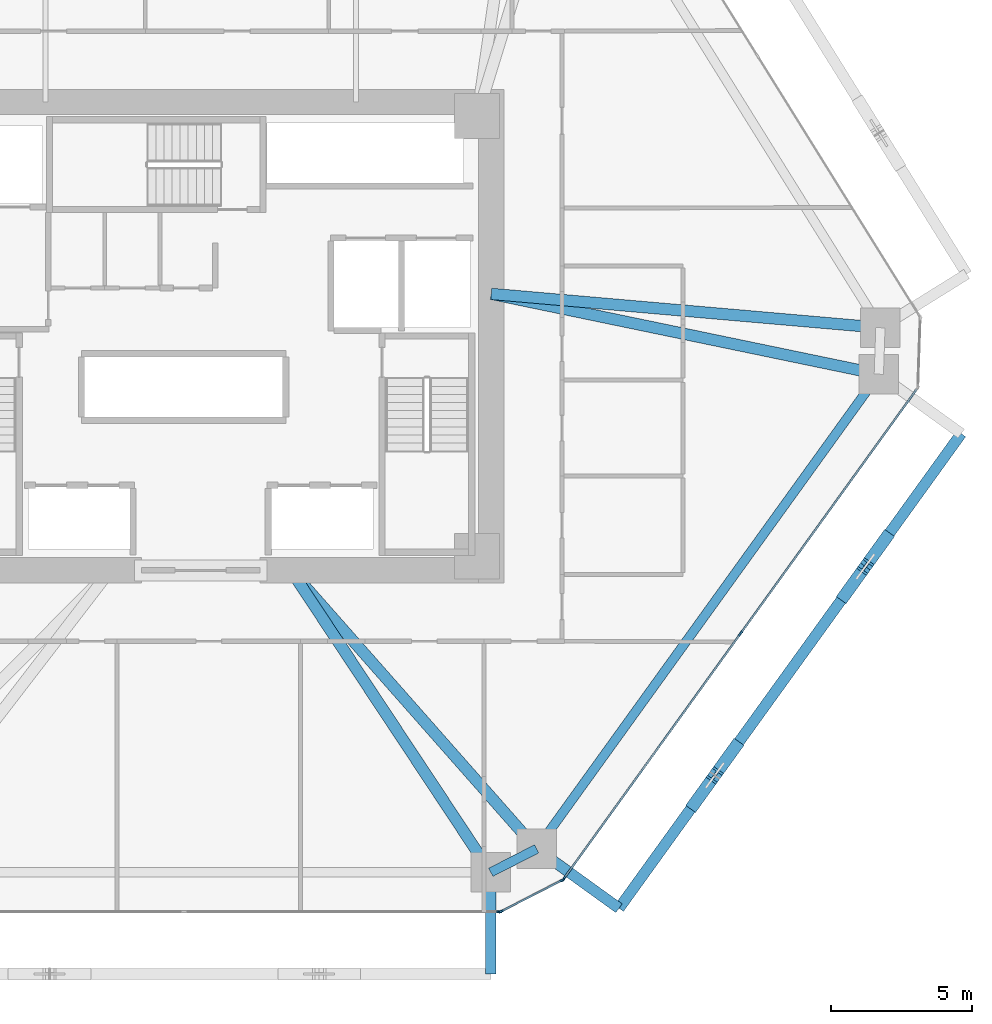
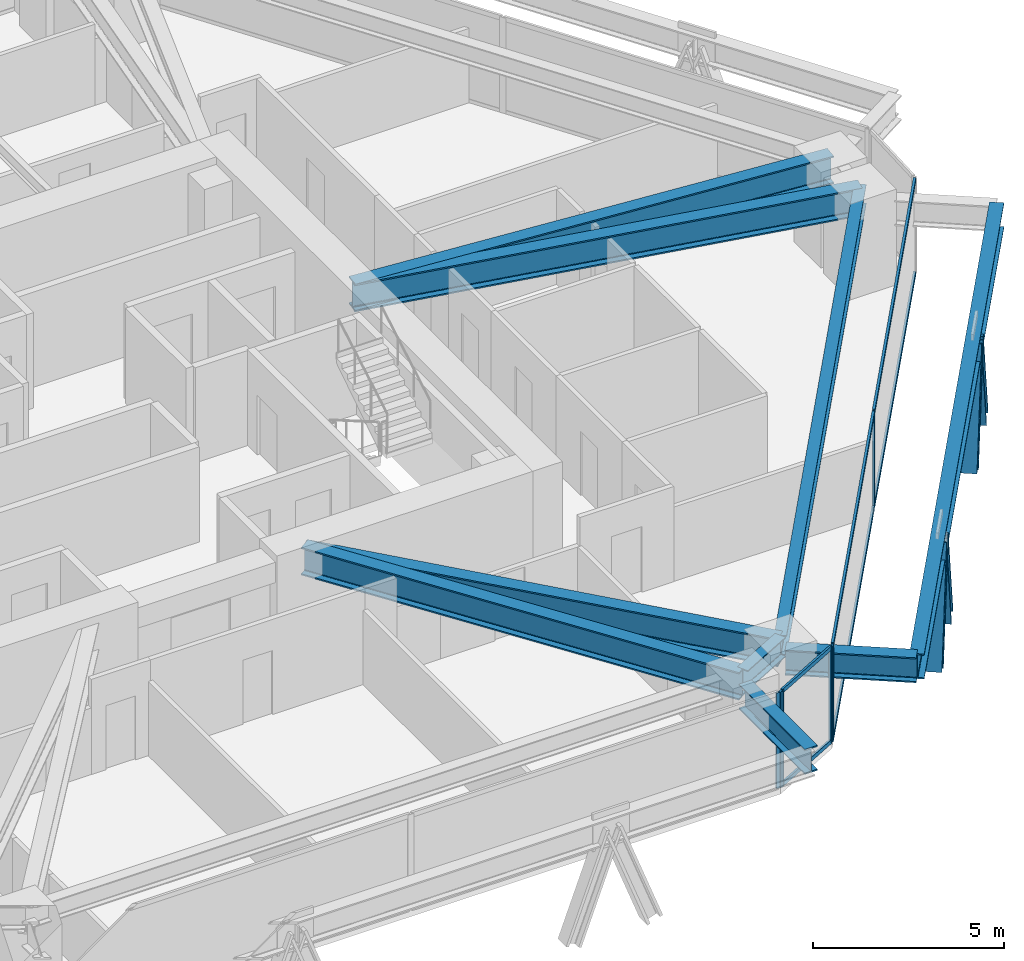
# One storey, part 5 of 17: 15 members, 9 beams, 3 elements without a shape of their own.
"""IFC4 building model written with IfcOpenShell, lengths in metres."""

from ifc_helpers import new_model, si_unit, direction, frame, origin, origin_2d, place, context, subcontext, project, spatial, rectangle, i_section, extrude, source, transform, mapped, material, layer, layer_set, material_profile, profile_set, type_object, type_shapes, element, aggregate, save


model = new_model("IFC4")

# Units and contexts
model_context = context("Model", 3, precision=1e-05, world=origin(), true_north=direction((0.0, 1.0)))
body_context = subcontext(model_context, "Body", "Model", "MODEL_VIEW")
ifc_project = project(units=[si_unit("LENGTHUNIT", "METRE"), si_unit("AREAUNIT", "SQUARE_METRE"), si_unit("VOLUMEUNIT", "CUBIC_METRE"), si_unit("PLANEANGLEUNIT", "RADIAN"), si_unit("MASSUNIT", "GRAM", prefix="KILO")], contexts=[model_context])

# Site, building, storey
site_placement = place(None, origin())
site = spatial("IfcSite", under=ifc_project, at=site_placement, CompositionType="ELEMENT")
building_placement = place(site_placement, origin())
building = spatial("IfcBuilding", under=site, at=building_placement, Name="Durnholm Broadcast Tower", CompositionType="ELEMENT")
storey_placement = place(building_placement, frame((0.0, 0.0, 39.0)))
storey = spatial("IfcBuildingStorey", under=building, at=storey_placement, Name="L08", CompositionType="ELEMENT", Elevation=39.0)

# Beams
ifc_material_1 = material(Name="Steel ASTM A992 Grade 50", Category="steel")
ifc_material_profile_1 = material_profile(ifc_material_1, i_section(OverallWidth=0.3291015625, OverallDepth=0.635009765625, WebThickness=0.017822265625, FlangeThickness=0.031005859375, FilletRadius=0.02783203125, at=origin_2d()), Name="W24X162")
ifc_profile_set_1 = profile_set([ifc_material_profile_1], Name="Steel ASTM A992 Grade 50")
beam_type_1 = type_object("IfcBeamType", Name="STL-SP-W24X162", PredefinedType="SPANDREL", material=ifc_profile_set_1)
shared_shape_1 = source(origin(), body_context, "Body", "SweptSolid", [
    extrude(i_section(OverallWidth=0.3291015625, OverallDepth=0.635009765625, WebThickness=0.017822265625, FlangeThickness=0.031005859375, FilletRadius=0.02783203125, at=origin_2d()), origin(), (0.0, 0.0, 1.0), 20.737060546875),
])
beam_1_placement = place(storey_placement, frame((24.034912109375, -1.347412109375, 2.7275390625), z_axis=(-0.584821933191, -0.811161701795, 0.0), x_axis=(0.811161701795, -0.584821933191, 0.0)))
element("IfcBeam", 1, at=beam_1_placement, inside=storey, type_object=beam_type_1, Name="L08 perimeter spandrel girder 09", PredefinedType="SPANDREL", context=body_context, shape_type="MappedRepresentation", body=[
    mapped(shared_shape_1, transform((0.0, 0.0, 0.0), x_axis=(1.0, 0.0, 0.0), y_axis=(0.0, 1.0, 0.0), z_axis=(0.0, 0.0, 1.0), scale=1.0)),
])
shared_shape_2 = source(origin(), body_context, "Body", "SweptSolid", [
    extrude(i_section(OverallWidth=0.3291015625, OverallDepth=0.635009765625, WebThickness=0.017822265625, FlangeThickness=0.031005859375, FilletRadius=0.02783203125, at=origin_2d()), origin(), (0.0, 0.0, 1.0), 1.8251953125),
])
type_shapes(beam_type_1, [shared_shape_1, shared_shape_2])
beam_2_placement = place(storey_placement, frame((11.907470703125, -18.16845703125, 2.7275390625), z_axis=(-0.890187609501, -0.455594139438, 0.0), x_axis=(0.455594139438, -0.890187609501, 0.0)))
element("IfcBeam", 2, at=beam_2_placement, inside=storey, type_object=beam_type_1, Name="L08 perimeter spandrel girder 10", PredefinedType="SPANDREL", context=body_context, shape_type="MappedRepresentation", body=[
    mapped(shared_shape_2, transform((0.0, 0.0, 0.0), x_axis=(1.0, 0.0, 0.0), y_axis=(0.0, 1.0, 0.0), z_axis=(0.0, 0.0, 1.0), scale=1.0)),
])
ifc_material_profile_2 = material_profile(ifc_material_1, i_section(OverallWidth=0.404052734375, OverallDepth=0.885009765625, WebThickness=0.0244140625, FlangeThickness=0.0439453125, FilletRadius=0.03564453125, at=origin_2d()), Name="W33X291")
ifc_profile_set_2 = profile_set([ifc_material_profile_2], Name="Steel ASTM A992 Grade 50")
beam_type_2 = type_object("IfcBeamType", Name="STL-GR-W33X291", PredefinedType="USERDEFINED", material=ifc_profile_set_2)
shared_shape_3 = source(origin(), body_context, "Body", "SweptSolid", [
    extrude(i_section(OverallWidth=0.404052734375, OverallDepth=0.885009765625, WebThickness=0.0244140625, FlangeThickness=0.0439453125, FilletRadius=0.03564453125, at=origin_2d()), origin(), (0.0, 0.0, 1.0), 13.843017578125),
])
beam_3_placement = place(storey_placement, frame((10.300048828125, 1.5, 2.6025390625), z_axis=(0.996234364864, -0.086701154915, 0.0), x_axis=(0.086701154915, 0.996234364864, 0.0)))
element("IfcBeam", 3, at=beam_3_placement, inside=storey, type_object=beam_type_2, Name="L08 radial primary floor girder 08", ObjectType="GIRDER", PredefinedType="USERDEFINED", context=body_context, shape_type="MappedRepresentation", body=[
    mapped(shared_shape_3, transform((0.0, 0.0, 0.0), x_axis=(1.0, 0.0, 0.0), y_axis=(0.0, 1.0, 0.0), z_axis=(0.0, 0.0, 1.0), scale=1.0)),
])
shared_shape_4 = source(origin(), body_context, "Body", "SweptSolid", [
    extrude(i_section(OverallWidth=0.404052734375, OverallDepth=0.885009765625, WebThickness=0.0244140625, FlangeThickness=0.0439453125, FilletRadius=0.03564453125, at=origin_2d()), origin(), (0.0, 0.0, 1.0), 14.02685546875),
])
beam_4_placement = place(storey_placement, frame((10.300048828125, 1.5, 2.6025390625), z_axis=(0.979179487914, -0.202996380382, 0.0), x_axis=(0.202996380382, 0.979179487914, 0.0)))
element("IfcBeam", 4, at=beam_4_placement, inside=storey, type_object=beam_type_2, Name="L08 radial primary floor girder 09", ObjectType="GIRDER", PredefinedType="USERDEFINED", context=body_context, shape_type="MappedRepresentation", body=[
    mapped(shared_shape_4, transform((0.0, 0.0, 0.0), x_axis=(1.0, 0.0, 0.0), y_axis=(0.0, 1.0, 0.0), z_axis=(0.0, 0.0, 1.0), scale=1.0)),
])
shared_shape_5 = source(origin(), body_context, "Body", "SweptSolid", [
    extrude(i_section(OverallWidth=0.404052734375, OverallDepth=0.885009765625, WebThickness=0.0244140625, FlangeThickness=0.0439453125, FilletRadius=0.03564453125, at=origin_2d()), origin(), (0.0, 0.0, 1.0), 13.160888671875),
])
beam_5_placement = place(storey_placement, frame((3.199951171875, -8.300048828125, 2.6025390625), z_axis=(0.661625931866, -0.749834065832, 0.0), x_axis=(0.749834065832, 0.661625931866, 0.0)))
element("IfcBeam", 5, at=beam_5_placement, inside=storey, type_object=beam_type_2, Name="L08 radial primary floor girder 10", ObjectType="GIRDER", PredefinedType="USERDEFINED", context=body_context, shape_type="MappedRepresentation", body=[
    mapped(shared_shape_5, transform((0.0, 0.0, 0.0), x_axis=(1.0, 0.0, 0.0), y_axis=(0.0, 1.0, 0.0), z_axis=(0.0, 0.0, 1.0), scale=1.0)),
])
shared_shape_6 = source(origin(), body_context, "Body", "SweptSolid", [
    extrude(i_section(OverallWidth=0.404052734375, OverallDepth=0.885009765625, WebThickness=0.0244140625, FlangeThickness=0.0439453125, FilletRadius=0.03564453125, at=origin_2d()), origin(), (0.0, 0.0, 1.0), 12.831787109375),
])
type_shapes(beam_type_2, [shared_shape_3, shared_shape_4, shared_shape_5, shared_shape_6])
beam_6_placement = place(storey_placement, frame((3.199951171875, -8.300048828125, 2.6025390625), z_axis=(0.551970609544, -0.833863565699, 0.0), x_axis=(0.833863565699, 0.551970609544, 0.0)))
element("IfcBeam", 6, at=beam_6_placement, inside=storey, type_object=beam_type_2, Name="L08 radial primary floor girder 11", ObjectType="GIRDER", PredefinedType="USERDEFINED", context=body_context, shape_type="MappedRepresentation", body=[
    mapped(shared_shape_6, transform((0.0, 0.0, 0.0), x_axis=(1.0, 0.0, 0.0), y_axis=(0.0, 1.0, 0.0), z_axis=(0.0, 0.0, 1.0), scale=1.0)),
])
ifc_material_profile_3 = material_profile(ifc_material_1, i_section(OverallWidth=0.385009765625, OverallDepth=0.802978515625, WebThickness=0.023681640625, FlangeThickness=0.0419921875, FilletRadius=0.032958984375, at=origin_2d()), Name="W30X261")
ifc_profile_set_3 = profile_set([ifc_material_profile_3], Name="Steel ASTM A992 Grade 50")
beam_type_3 = type_object("IfcBeamType", Name="BM-EXO-TIE", PredefinedType="USERDEFINED", material=ifc_profile_set_3)
shared_shape_7 = source(origin(), body_context, "Body", "SweptSolid", [
    extrude(i_section(OverallWidth=0.385009765625, OverallDepth=0.802978515625, WebThickness=0.023681640625, FlangeThickness=0.0419921875, FilletRadius=0.032958984375, at=origin_2d()), origin(), (0.0, 0.0, 1.0), 3.4560546875),
])
for number, where, z_axis, x_axis, name in (
    (7, (10.28271484375, -19.14404296875, 2.30859375), (0.0, -1.0, 0.0), (1.0, 0.0, 0.0), "L08 exoskeleton stand-off tie bracket F1.2"),
    (8, (12.024169921875, -18.252685546875, 2.30859375), (0.811157675106, -0.584827518262, 0.0), (0.584827518262, 0.811157675106, 0.0), "L08 exoskeleton stand-off tie bracket F2.1"),
):
    element("IfcBeam", number, at=place(storey_placement, frame(where, z_axis=z_axis, x_axis=x_axis)), inside=storey, type_object=beam_type_3, Name=name, ObjectType="GIRDER", PredefinedType="USERDEFINED", context=body_context, shape_type="MappedRepresentation", body=[
        mapped(shared_shape_7, transform((0.0, 0.0, 0.0), x_axis=(1.0, 0.0, 0.0), y_axis=(0.0, 1.0, 0.0), z_axis=(0.0, 0.0, 1.0), scale=1.0)),
    ])
shared_shape_8 = source(origin(), body_context, "Body", "SweptSolid", [
    extrude(i_section(OverallWidth=0.385009765625, OverallDepth=0.802978515625, WebThickness=0.023681640625, FlangeThickness=0.0419921875, FilletRadius=0.032958984375, at=origin_2d()), origin(), (0.0, 0.0, 1.0), 20.737060546875),
])
type_shapes(beam_type_3, [shared_shape_7, shared_shape_8])
beam_7_placement = place(storey_placement, frame((14.82763671875, -20.27392578125, 2.30859375), z_axis=(0.5848163482, 0.811165728368, 0.0), x_axis=(-0.811165728368, 0.5848163482, 0.0)))
element("IfcBeam", 9, at=beam_7_placement, inside=storey, type_object=beam_type_3, Name="L08 exoskeleton collector spandrel F2", PredefinedType="SPANDREL", context=body_context, shape_type="MappedRepresentation", body=[
    mapped(shared_shape_8, transform((0.0, 0.0, 0.0), x_axis=(1.0, 0.0, 0.0), y_axis=(0.0, 1.0, 0.0), z_axis=(0.0, 0.0, 1.0), scale=1.0)),
])

# Members
ifc_material_2 = material(Name="Steel ASTM A913 Grade 65", Category="steel")
ifc_material_profile_4 = material_profile(ifc_material_2, i_section(OverallWidth=0.43212890625, OverallDepth=0.497802734375, WebThickness=0.0556640625, FlangeThickness=0.0888671875, FilletRadius=0.030517578125, at=origin_2d()), Name="W14X500")
ifc_profile_set_4 = profile_set([ifc_material_profile_4], Name="Steel ASTM A913 Grade 65")
member_type_1 = type_object("IfcMemberType", Name="STL-DG-W14X500", PredefinedType="BRACE", material=ifc_profile_set_4)
shared_shape_9 = source(origin(), body_context, "Body", "SweptSolid", [
    extrude(i_section(OverallWidth=0.43212890625, OverallDepth=0.497802734375, WebThickness=0.0556640625, FlangeThickness=0.0888671875, FilletRadius=0.030517578125, at=origin_2d()), origin(), (0.0, 0.0, 1.0), 3.523193359375),
])
type_shapes(member_type_1, [shared_shape_9])
for number, where, z_axis, x_axis, name in (
    (10, (17.501708984375, -16.564697265625, -0.991455078125), (0.204839138341, 0.284044529113, 0.93667477434), (-0.81109123444, 0.58491966065, 0.0), "L08 stand-off diagrid brace F2.D1.1"),
    (11, (18.94482421875, -14.563232421875, -0.991455078125), (-0.20477274847, -0.284048560399, 0.936688068046), (0.811185111535, -0.584789461963, 0.0), "L08 stand-off diagrid brace F2.D1.2"),
    (12, (22.837890625, -9.163330078125, -0.991455078125), (0.204839138341, 0.284044529113, 0.93667477434), (-0.81109123444, 0.58491966065, 0.0), "L08 stand-off diagrid brace F2.D2.1"),
    (13, (24.281005859375, -7.161865234375, -0.991455078125), (-0.20477274847, -0.284048560399, 0.936688068046), (0.811185111535, -0.584789461963, 0.0), "L08 stand-off diagrid brace F2.D2.2"),
):
    element("IfcMember", number, at=place(storey_placement, frame(where, z_axis=z_axis, x_axis=x_axis)), inside=storey, type_object=member_type_1, Name=name, PredefinedType="BRACE", context=body_context, shape_type="MappedRepresentation", body=[
        mapped(shared_shape_9, transform((0.0, 0.0, 0.0), x_axis=(1.0, 0.0, 0.0), y_axis=(0.0, 1.0, 0.0), z_axis=(0.0, 0.0, 1.0), scale=1.0)),
    ])

# Curtain wall, members
ifc_material_3 = material(Name="Aluminium and Solar Control IGU", Category="aluminium")
ifc_layer_1 = layer(ifc_material_3, 0.1650390625)
ifc_layer_set_1 = layer_set([ifc_layer_1], Name="Aluminium and Solar Control IGU")
curtain_wall_type_1 = type_object("IfcCurtainWallType", Name="CW-SYS-5", PredefinedType="NOTDEFINED", material=ifc_layer_set_1)
curtain_wall_1_placement = place(storey_placement, origin())
curtain_wall_1 = element("IfcCurtainWall", 14, at=curtain_wall_1_placement, inside=storey, type_object=curtain_wall_type_1, Name="L08 curtain wall CW-CORNER CW-L08-CRN-09", PredefinedType="NOTDEFINED")
ifc_material_4 = material(Name="Aluminium 6063-T6", Category="aluminium")
ifc_material_profile_5 = material_profile(ifc_material_4, rectangle(XDim=0.06494140625, YDim=0.1650390625, at=origin_2d()), Name="CWM65X165")
ifc_profile_set_5 = profile_set([ifc_material_profile_5], Name="Aluminium 6063-T6")
member_type_2 = type_object("IfcMemberType", Name="CW-SYS-5-MUL", PredefinedType="MULLION", material=ifc_profile_set_5)
shared_shape_10 = source(origin(), body_context, "Body", "SweptSolid", [
    extrude(rectangle(XDim=0.06494140625, YDim=0.1650390625, at=origin_2d()), origin(), (0.0, 0.0, 1.0), 3.06005859375),
])
type_shapes(member_type_2, [shared_shape_10])
member_1_placement = place(storey_placement, frame((12.816650390625, -19.27587890625, 0.0), z_axis=(0.0, 0.0, 1.0), x_axis=(0.455593758406, -0.890187804512, 0.0)))
member_1 = element("IfcMember", 15, at=member_1_placement, type_object=member_type_2, Name="CW-CORNER mullion 1", PredefinedType="MULLION", context=body_context, shape_type="MappedRepresentation", body=[
    mapped(shared_shape_10, transform((0.0, 0.0, 0.0), x_axis=(1.0, 0.0, 0.0), y_axis=(0.0, 1.0, 0.0), z_axis=(0.0, 0.0, 1.0), scale=1.0)),
])
member_2_placement = place(storey_placement, frame((10.649169921875, -20.38525390625, 0.0), z_axis=(0.0, 0.0, 1.0), x_axis=(0.455593758406, -0.890187804512, 0.0)))
member_2 = element("IfcMember", 16, at=member_2_placement, type_object=member_type_2, Name="CW-CORNER mullion 2", PredefinedType="MULLION", context=body_context, shape_type="MappedRepresentation", body=[
    mapped(shared_shape_10, transform((0.0, 0.0, 0.0), x_axis=(1.0, 0.0, 0.0), y_axis=(0.0, 1.0, 0.0), z_axis=(0.0, 0.0, 1.0), scale=1.0)),
])
ifc_material_profile_6 = material_profile(ifc_material_4, rectangle(XDim=0.06494140625, YDim=0.1298828125, at=origin_2d()), Name="CWT65X130")
ifc_profile_set_6 = profile_set([ifc_material_profile_6], Name="Aluminium 6063-T6")
member_type_3 = type_object("IfcMemberType", Name="CW-SYS-5-TRN", PredefinedType="USERDEFINED", material=ifc_profile_set_6)
shared_shape_11 = source(origin(), body_context, "Body", "SweptSolid", [
    extrude(rectangle(XDim=0.06494140625, YDim=0.1298828125, at=origin_2d()), origin(), (0.0, 0.0, 1.0), 2.3701171875),
])
type_shapes(member_type_3, [shared_shape_11])
member_3_placement = place(storey_placement, frame((12.787841796875, -19.29052734375, 0.032470703125), z_axis=(-0.890185016934, -0.455599205033, 0.0), x_axis=(0.455599205033, -0.890185016934, 0.0)))
member_3 = element("IfcMember", 17, at=member_3_placement, type_object=member_type_3, Name="CW-CORNER transom 1.1", ObjectType="TRANSOM", PredefinedType="USERDEFINED", context=body_context, shape_type="MappedRepresentation", body=[
    mapped(shared_shape_11, transform((0.0, 0.0, 0.0), x_axis=(1.0, 0.0, 0.0), y_axis=(0.0, 1.0, 0.0), z_axis=(0.0, 0.0, 1.0), scale=1.0)),
])
member_4_placement = place(storey_placement, frame((12.787841796875, -19.29052734375, 3.027587890625), z_axis=(-0.890185016934, -0.455599205033, 0.0), x_axis=(0.455599205033, -0.890185016934, 0.0)))
member_4 = element("IfcMember", 18, at=member_4_placement, type_object=member_type_3, Name="CW-CORNER transom 1.2", ObjectType="TRANSOM", PredefinedType="USERDEFINED", context=body_context, shape_type="MappedRepresentation", body=[
    mapped(shared_shape_11, transform((0.0, 0.0, 0.0), x_axis=(1.0, 0.0, 0.0), y_axis=(0.0, 1.0, 0.0), z_axis=(0.0, 0.0, 1.0), scale=1.0)),
])
aggregate(curtain_wall_1, [member_1, member_2, member_3, member_4])

ifc_layer_2 = layer(ifc_material_3, 0.18994140625)
ifc_layer_set_2 = layer_set([ifc_layer_2], Name="Aluminium and Solar Control IGU")
curtain_wall_type_2 = type_object("IfcCurtainWallType", Name="CW-SYS-3", PredefinedType="NOTDEFINED", material=ifc_layer_set_2)
curtain_wall_2_placement = place(storey_placement, origin())
curtain_wall_2 = element("IfcCurtainWall", 19, at=curtain_wall_2_placement, inside=storey, type_object=curtain_wall_type_2, Name="L08 curtain wall CW-Z12-VIS CW-L08-F08", PredefinedType="NOTDEFINED")
ifc_material_profile_7 = material_profile(ifc_material_4, rectangle(XDim=0.070068359375, YDim=0.18994140625, at=origin_2d()), Name="CWM70X190")
ifc_profile_set_7 = profile_set([ifc_material_profile_7], Name="Aluminium 6063-T6")
member_type_4 = type_object("IfcMemberType", Name="CW-SYS-3-MUL", PredefinedType="MULLION", material=ifc_profile_set_7)
shared_shape_12 = source(origin(), body_context, "Body", "SweptSolid", [
    extrude(rectangle(XDim=0.070068359375, YDim=0.18994140625, at=origin_2d()), origin(), (0.0, 0.0, 1.0), 3.06005859375),
])
type_shapes(member_type_4, [shared_shape_12])
member_5_placement = place(storey_placement, frame((19.1328125, -10.540771484375, 0.0), z_axis=(0.0, 0.0, 1.0), x_axis=(0.81116057493, -0.584823496176, 0.0)))
member_5 = element("IfcMember", 20, at=member_5_placement, type_object=member_type_4, Name="CW-Z12-VIS mullion 2", PredefinedType="MULLION", context=body_context, shape_type="MappedRepresentation", body=[
    mapped(shared_shape_12, transform((0.0, 0.0, 0.0), x_axis=(1.0, 0.0, 0.0), y_axis=(0.0, 1.0, 0.0), z_axis=(0.0, 0.0, 1.0), scale=1.0)),
])
member_6_placement = place(storey_placement, frame((12.8662109375, -19.232666015625, 0.0), z_axis=(0.0, 0.0, 1.0), x_axis=(0.81116057493, -0.584823496176, 0.0)))
member_6 = element("IfcMember", 21, at=member_6_placement, type_object=member_type_4, Name="CW-Z12-VIS mullion 3", PredefinedType="MULLION", context=body_context, shape_type="MappedRepresentation", body=[
    mapped(shared_shape_12, transform((0.0, 0.0, 0.0), x_axis=(1.0, 0.0, 0.0), y_axis=(0.0, 1.0, 0.0), z_axis=(0.0, 0.0, 1.0), scale=1.0)),
])

# Curtain wall, member
curtain_wall_3_placement = place(storey_placement, origin())
curtain_wall_3 = element("IfcCurtainWall", 22, at=curtain_wall_3_placement, inside=storey, type_object=curtain_wall_type_2, Name="L08 curtain wall CW-Z12-VIS CW-L08-F10", PredefinedType="NOTDEFINED")
member_7_placement = place(storey_placement, frame((10.585205078125, -20.39990234375, 0.0), z_axis=(0.0, 0.0, 1.0), x_axis=(0.0, -1.0, 0.0)))
member_7 = element("IfcMember", 23, at=member_7_placement, type_object=member_type_4, Name="CW-Z12-VIS mullion 1", PredefinedType="MULLION", context=body_context, shape_type="MappedRepresentation", body=[
    mapped(shared_shape_12, transform((0.0, 0.0, 0.0), x_axis=(1.0, 0.0, 0.0), y_axis=(0.0, 1.0, 0.0), z_axis=(0.0, 0.0, 1.0), scale=1.0)),
])
aggregate(curtain_wall_3, [member_7])

# Member
ifc_material_profile_8 = material_profile(ifc_material_4, rectangle(XDim=0.070068359375, YDim=0.14990234375, at=origin_2d()), Name="CWT70X150")
ifc_profile_set_8 = profile_set([ifc_material_profile_8], Name="Aluminium 6063-T6")
member_type_5 = type_object("IfcMemberType", Name="CW-SYS-3-TRN", PredefinedType="USERDEFINED", material=ifc_profile_set_8)
shared_shape_13 = source(origin(), body_context, "Body", "SweptSolid", [
    extrude(rectangle(XDim=0.070068359375, YDim=0.14990234375, at=origin_2d()), origin(), (0.0, 0.0, 1.0), 10.6455078125),
])
member_8_placement = place(storey_placement, frame((25.37890625, -1.877197265625, 0.034912109375), z_axis=(-0.584812103659, -0.811168788486, 0.0), x_axis=(0.811168788486, -0.584812103659, 0.0)))
member_8 = element("IfcMember", 24, at=member_8_placement, type_object=member_type_5, Name="CW-Z12-VIS transom 1.1", ObjectType="TRANSOM", PredefinedType="USERDEFINED", context=body_context, shape_type="MappedRepresentation", body=[
    mapped(shared_shape_13, transform((0.0, 0.0, 0.0), x_axis=(1.0, 0.0, 0.0), y_axis=(0.0, 1.0, 0.0), z_axis=(0.0, 0.0, 1.0), scale=1.0)),
])

member_9_placement = place(storey_placement, frame((25.37890625, -1.877197265625, 3.02490234375), z_axis=(-0.584812103659, -0.811168788486, 0.0), x_axis=(0.811168788486, -0.584812103659, 0.0)))
member_9 = element("IfcMember", 25, at=member_9_placement, type_object=member_type_5, Name="CW-Z12-VIS transom 1.2", ObjectType="TRANSOM", PredefinedType="USERDEFINED", context=body_context, shape_type="MappedRepresentation", body=[
    mapped(shared_shape_13, transform((0.0, 0.0, 0.0), x_axis=(1.0, 0.0, 0.0), y_axis=(0.0, 1.0, 0.0), z_axis=(0.0, 0.0, 1.0), scale=1.0)),
])

shared_shape_14 = source(origin(), body_context, "Body", "SweptSolid", [
    extrude(rectangle(XDim=0.070068359375, YDim=0.14990234375, at=origin_2d()), origin(), (0.0, 0.0, 1.0), 10.645263671875),
])
type_shapes(member_type_5, [shared_shape_13, shared_shape_14])
member_10_placement = place(storey_placement, frame((19.1123046875, -10.569091796875, 0.034912109375), z_axis=(-0.584822983179, -0.811160944786, 0.0), x_axis=(0.811160944786, -0.584822983179, 0.0)))
member_10 = element("IfcMember", 26, at=member_10_placement, type_object=member_type_5, Name="CW-Z12-VIS transom 2.1", ObjectType="TRANSOM", PredefinedType="USERDEFINED", context=body_context, shape_type="MappedRepresentation", body=[
    mapped(shared_shape_14, transform((0.0, 0.0, 0.0), x_axis=(1.0, 0.0, 0.0), y_axis=(0.0, 1.0, 0.0), z_axis=(0.0, 0.0, 1.0), scale=1.0)),
])

member_11_placement = place(storey_placement, frame((19.1123046875, -10.569091796875, 3.02490234375), z_axis=(-0.584822983179, -0.811160944786, 0.0), x_axis=(0.811160944786, -0.584822983179, 0.0)))
member_11 = element("IfcMember", 27, at=member_11_placement, type_object=member_type_5, Name="CW-Z12-VIS transom 2.2", ObjectType="TRANSOM", PredefinedType="USERDEFINED", context=body_context, shape_type="MappedRepresentation", body=[
    mapped(shared_shape_14, transform((0.0, 0.0, 0.0), x_axis=(1.0, 0.0, 0.0), y_axis=(0.0, 1.0, 0.0), z_axis=(0.0, 0.0, 1.0), scale=1.0)),
])

aggregate(curtain_wall_2, [member_5, member_6, member_8, member_9, member_10, member_11])

save(model, "model.ifc")
